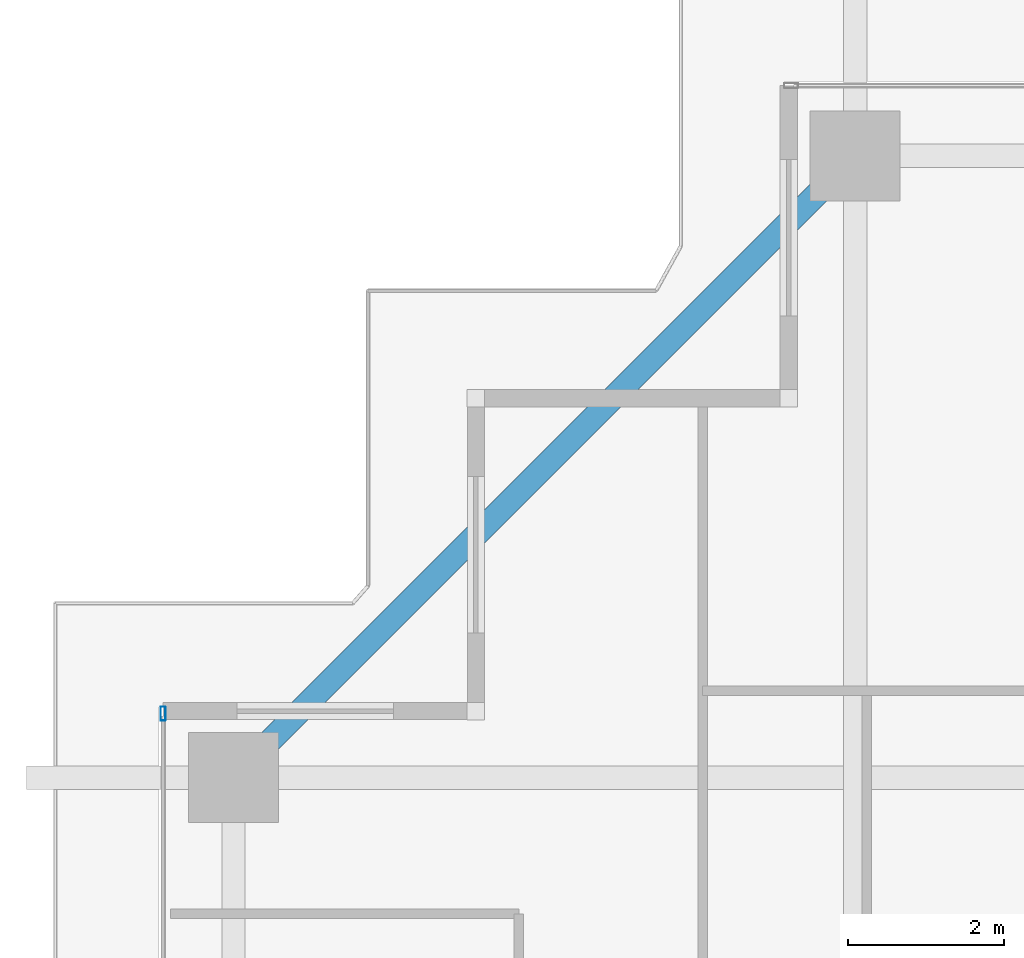
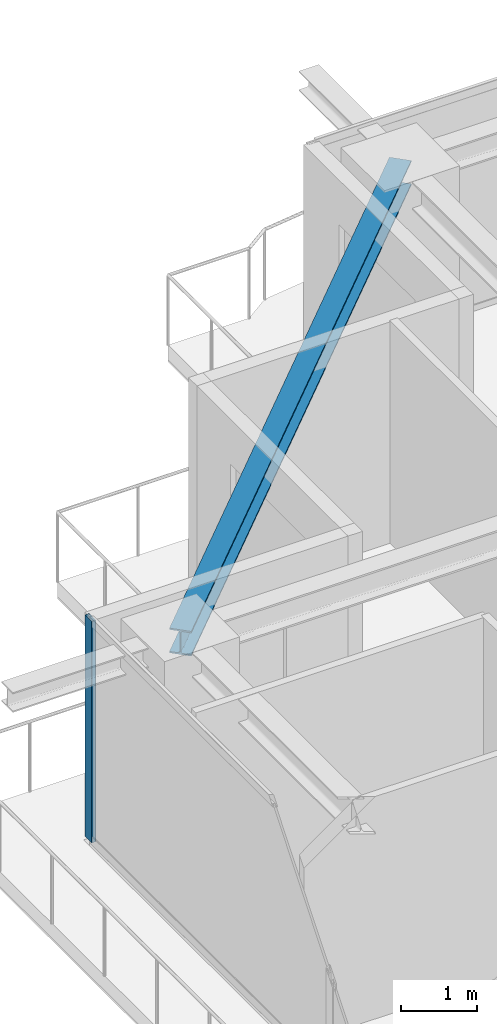
# One storey, part 18 of 37: 1 beam, 1 member, 1 element without a shape of its own.
"""IFC4 building model written with IfcOpenShell, lengths in metres."""

from ifc_helpers import new_model, si_unit, direction, frame, origin, origin_2d, place, context, subcontext, project, spatial, hollow_rectangle, i_section, extrude, source, transform, mapped, material, layer, layer_set, material_profile, profile_set, type_object, element, aggregate, save


model = new_model("IFC4")

# Units and contexts
model_context = context("Model", 3, precision=1e-05, world=origin(), true_north=direction((0.0, 1.0)))
body_context = subcontext(model_context, "Body", "Model", "MODEL_VIEW")
ifc_project = project(units=[si_unit("LENGTHUNIT", "METRE"), si_unit("AREAUNIT", "SQUARE_METRE"), si_unit("VOLUMEUNIT", "CUBIC_METRE"), si_unit("PLANEANGLEUNIT", "RADIAN"), si_unit("MASSUNIT", "GRAM", prefix="KILO")], contexts=[model_context])

# Site, building, storey
site_placement = place(None, origin())
site = spatial("IfcSite", under=ifc_project, at=site_placement, CompositionType="ELEMENT")
building_placement = place(site_placement, origin())
building = spatial("IfcBuilding", under=site, at=building_placement, Name="Serunith Strait Residences", CompositionType="ELEMENT")
storey_placement = place(building_placement, frame((0.0, 0.0, 279.75)))
storey = spatial("IfcBuildingStorey", under=building, at=storey_placement, Name="L70", CompositionType="ELEMENT", Elevation=279.75)

# Beam
ifc_material_1 = material(Name="Steel S355J2", Category="steel")
ifc_material_profile_1 = material_profile(ifc_material_1, i_section(OverallWidth=0.300048828125, OverallDepth=0.39990234375, WebThickness=0.013427734375, FlangeThickness=0.02392578125, FilletRadius=0.027099609375, at=origin_2d()), Name="HEB 400")
ifc_profile_set_1 = profile_set([ifc_material_profile_1], Name="Steel S355J2")
beam_type = type_object("IfcBeamType", Name="BM-HEB400", PredefinedType="BEAM", material=ifc_profile_set_1)
shared_shape_1 = source(origin(), body_context, "Body", "SweptSolid", [
    extrude(i_section(OverallWidth=0.300048828125, OverallDepth=0.39990234375, WebThickness=0.013427734375, FlangeThickness=0.02392578125, FilletRadius=0.027099609375, at=origin_2d()), origin(), (0.0, 0.0, 1.0), 11.242919921875),
])
beam_placement = place(storey_placement, frame((16.25, 48.300048828125, 3.35693359375), z_axis=(-0.707106781187, -0.707106781187, 0.0), x_axis=(0.707106781187, -0.707106781187, 0.0)))
element("IfcBeam", 1, at=beam_placement, inside=storey, type_object=beam_type, Name="L70 Perimeter Ring Beam 12", PredefinedType="BEAM", context=body_context, shape_type="MappedRepresentation", body=[
    mapped(shared_shape_1, transform((0.0, 0.0, 0.0), scale=1.0)),
])

# Curtain wall, member
ifc_material_2 = material(Name="Pale-Champagne Anodised Aluminium", Category="aluminium")
ifc_layer = layer(ifc_material_2, 0.199951171875, Name="Pale-Champagne Anodised Aluminium")
ifc_layer_set = layer_set([ifc_layer], Name="Pale-Champagne Anodised Aluminium")
curtain_wall_type = type_object("IfcCurtainWallType", Name="CW-SYS4", PredefinedType="NOTDEFINED", material=ifc_layer_set)
curtain_wall_placement = place(storey_placement, origin())
curtain_wall = element("IfcCurtainWall", 2, at=curtain_wall_placement, inside=storey, type_object=curtain_wall_type, Name="L70 W Unitised Fritted Curtain Wall", PredefinedType="NOTDEFINED")
ifc_material_profile_2 = material_profile(ifc_material_2, hollow_rectangle(XDim=0.06494140625, YDim=0.179931640625, WallThickness=0.00341796875, InnerFilletRadius=0.00537109375, OuterFilletRadius=0.0087890625, at=origin_2d()), Name="ALU 180x65x3.5")
ifc_profile_set_2 = profile_set([ifc_material_profile_2], Name="Pale-Champagne Anodised Aluminium")
member_type = type_object("IfcMemberType", Name="CW-SYS4-MULL", PredefinedType="MULLION", material=ifc_profile_set_2)
shared_shape_2 = source(origin(), body_context, "Body", "SweptSolid", [
    extrude(hollow_rectangle(XDim=0.06494140625, YDim=0.179931640625, WallThickness=0.00341796875, InnerFilletRadius=0.00537109375, OuterFilletRadius=0.0087890625, at=origin_2d()), origin(), (0.0, 0.0, 1.0), 3.574951171875),
])
member_placement = place(storey_placement, frame((7.39990234375, 41.16748046875, 0.0), z_axis=(0.0, 0.0, 1.0), x_axis=(1.0, 0.0, 0.0)))
member = element("IfcMember", 3, at=member_placement, type_object=member_type, Name="CW-4 mullion 1", PredefinedType="MULLION", context=body_context, shape_type="MappedRepresentation", body=[
    mapped(shared_shape_2, transform((0.0, 0.0, 0.0), scale=1.0)),
])
aggregate(curtain_wall, [member])

save(model, "model.ifc")
